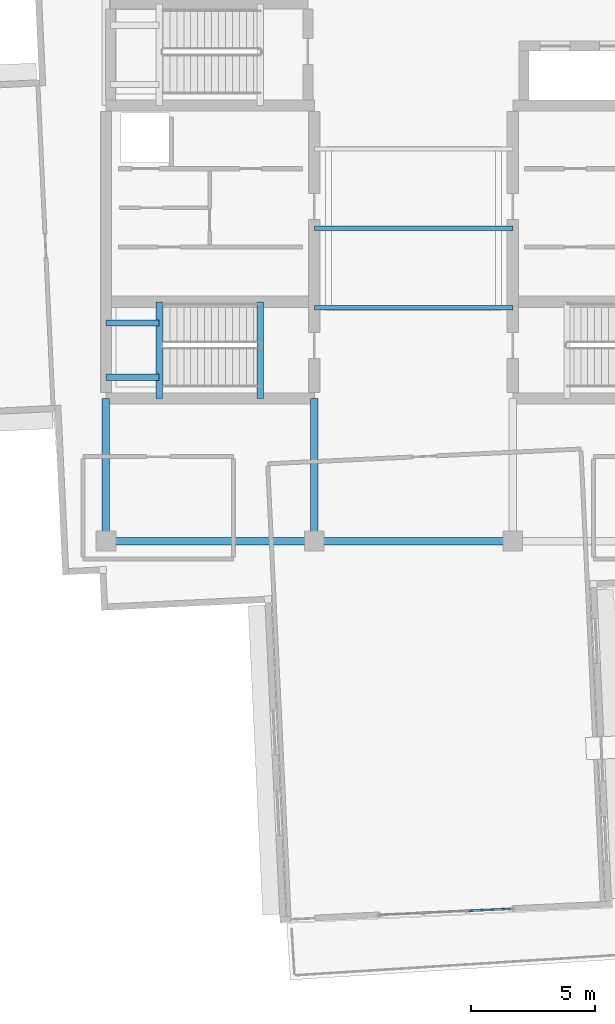
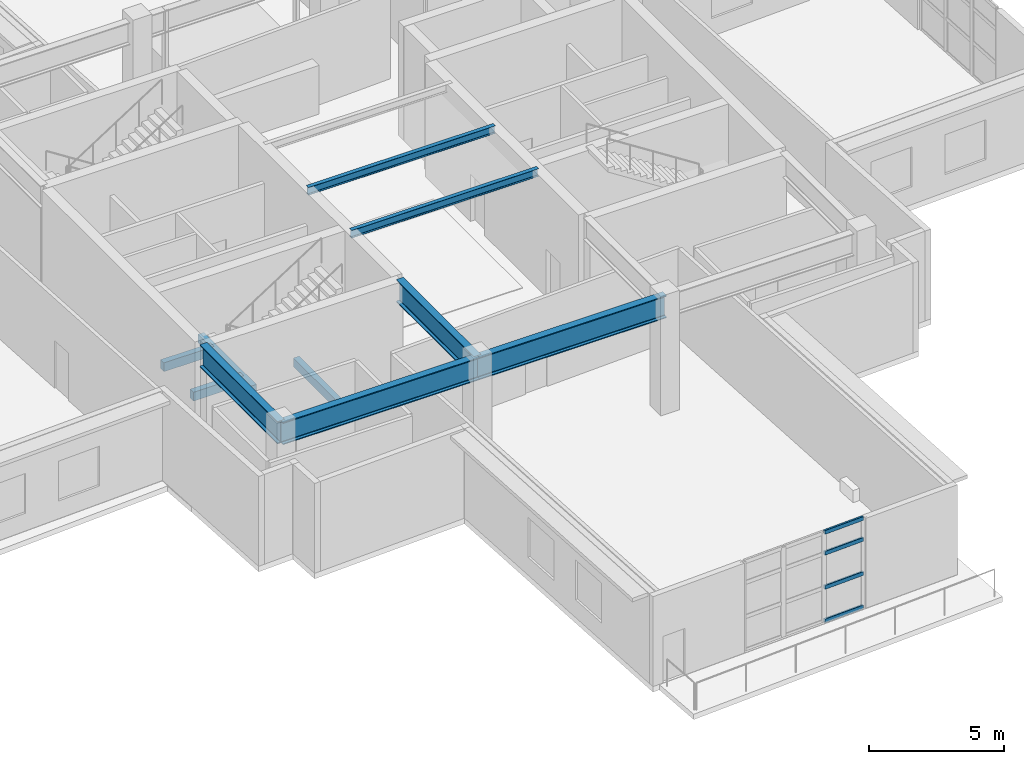
# One storey, part 4 of 22: 10 beams, 4 members, 1 element without a shape of its own.
"""IFC4 building model written with IfcOpenShell, lengths in metres."""

from ifc_helpers import new_model, si_unit, direction, frame, origin, origin_2d, place, context, subcontext, project, spatial, rectangle, hollow_rectangle, i_section, extrude, material, layer, layer_set, material_profile, profile_set, type_object, element, aggregate, save


model = new_model("IFC4")

# Units and contexts
model_context = context("Model", 3, precision=1e-05, world=origin(), true_north=direction((0.0, 1.0)))
body_context = subcontext(model_context, "Body", "Model", "MODEL_VIEW")
ifc_project = project(units=[si_unit("LENGTHUNIT", "METRE"), si_unit("AREAUNIT", "SQUARE_METRE"), si_unit("VOLUMEUNIT", "CUBIC_METRE"), si_unit("PLANEANGLEUNIT", "RADIAN"), si_unit("MASSUNIT", "GRAM", prefix="KILO")], contexts=[model_context])

# Site, building, storey
site_placement = place(None, origin())
site = spatial("IfcSite", under=ifc_project, at=site_placement, CompositionType="ELEMENT")
building_placement = place(site_placement, origin())
building = spatial("IfcBuilding", under=site, at=building_placement, Name="Qingluan Cross Belvedere", CompositionType="ELEMENT")
storey_placement = place(building_placement, frame((0.0, 0.0, 294.0)))
storey = spatial("IfcBuildingStorey", under=building, at=storey_placement, Name="L73", CompositionType="ELEMENT", Elevation=294.0)

# Curtain wall, members
ifc_material_1 = material(Name="Thermally broken aluminium and Low-E glass", Category="aluminium")
ifc_layer = layer(ifc_material_1, 0.179931640625, Name="ObservationCW_DamperGallery")
ifc_layer_set = layer_set([ifc_layer], Name="Thermally broken aluminium and Low-E glass")
curtain_wall_type = type_object("IfcCurtainWallType", Name="ObservationCW_DamperGallery", PredefinedType="USERDEFINED", material=ifc_layer_set)
curtain_wall_placement = place(storey_placement, origin())
curtain_wall = element("IfcCurtainWall", 1, at=curtain_wall_placement, inside=storey, type_object=curtain_wall_type, Name="ObservationCW_DamperGallery run env:cw:L73:S", ObjectType="OBSERVATION GLAZING WALL", PredefinedType="USERDEFINED")
ifc_material_2 = material(Name="Aluminium alloy 6063-T6", Category="aluminium")
ifc_material_profile_1 = material_profile(ifc_material_2, hollow_rectangle(XDim=0.0849609375, YDim=0.179931640625, WallThickness=0.00390625, InnerFilletRadius=0.00390625, OuterFilletRadius=0.008056640625, at=origin_2d()), Name="CWT180x85x4")
ifc_profile_set_1 = profile_set([ifc_material_profile_1], Name="Aluminium alloy 6063-T6")
member_type = type_object("IfcMemberType", Name="CWTransom_180", PredefinedType="USERDEFINED", material=ifc_profile_set_1)
member_1_placement = place(storey_placement, frame((2.220947265625, -27.505859375, 0.030029296875), z_axis=(0.998890508183, 0.047093021363, 0.0), x_axis=(-0.047093021363, 0.998890508183, 0.0)))
member_1 = element("IfcMember", 2, at=member_1_placement, type_object=member_type, Name="CW-C1 transom 3.1", ObjectType="TRANSOM", PredefinedType="USERDEFINED", context=body_context, shape_type="SweptSolid", body=[
    extrude(hollow_rectangle(XDim=0.0849609375, YDim=0.179931640625, WallThickness=0.00390625, InnerFilletRadius=0.00390625, OuterFilletRadius=0.008056640625, at=origin_2d()), origin(), (0.0, 0.0, 1.0), 1.6953125),
])
member_2_placement = place(storey_placement, frame((2.220947265625, -27.505859375, 1.54296875), z_axis=(0.998890508183, 0.047093021363, 0.0), x_axis=(-0.047093021363, 0.998890508183, 0.0)))
member_2 = element("IfcMember", 3, at=member_2_placement, type_object=member_type, Name="CW-C1 transom 3.2", ObjectType="TRANSOM", PredefinedType="USERDEFINED", context=body_context, shape_type="SweptSolid", body=[
    extrude(hollow_rectangle(XDim=0.0849609375, YDim=0.179931640625, WallThickness=0.00390625, InnerFilletRadius=0.00390625, OuterFilletRadius=0.008056640625, at=origin_2d()), origin(), (0.0, 0.0, 1.0), 1.6953125),
])
member_3_placement = place(storey_placement, frame((2.220947265625, -27.505859375, 3.0859375), z_axis=(0.998890508183, 0.047093021363, 0.0), x_axis=(-0.047093021363, 0.998890508183, 0.0)))
member_3 = element("IfcMember", 4, at=member_3_placement, type_object=member_type, Name="CW-C1 transom 3.3", ObjectType="TRANSOM", PredefinedType="USERDEFINED", context=body_context, shape_type="SweptSolid", body=[
    extrude(hollow_rectangle(XDim=0.0849609375, YDim=0.179931640625, WallThickness=0.00390625, InnerFilletRadius=0.00390625, OuterFilletRadius=0.008056640625, at=origin_2d()), origin(), (0.0, 0.0, 1.0), 1.6953125),
])
member_4_placement = place(storey_placement, frame((2.220947265625, -27.505859375, 4.030029296875), z_axis=(0.998890508183, 0.047093021363, 0.0), x_axis=(-0.047093021363, 0.998890508183, 0.0)))
member_4 = element("IfcMember", 5, at=member_4_placement, type_object=member_type, Name="CW-C1 transom 3.4", ObjectType="TRANSOM", PredefinedType="USERDEFINED", context=body_context, shape_type="SweptSolid", body=[
    extrude(hollow_rectangle(XDim=0.0849609375, YDim=0.179931640625, WallThickness=0.00390625, InnerFilletRadius=0.00390625, OuterFilletRadius=0.008056640625, at=origin_2d()), origin(), (0.0, 0.0, 1.0), 1.6953125),
])
aggregate(curtain_wall, [member_1, member_2, member_3, member_4])

# Beams
ifc_material_3 = material(Name="Concrete C45", Category="concrete")
ifc_material_profile_2 = material_profile(ifc_material_3, rectangle(XDim=0.25, YDim=0.39990234375, at=origin_2d()), Name="RC250x400")
ifc_profile_set_2 = profile_set([ifc_material_profile_2], Name="Concrete C45")
beam_type_1 = type_object("IfcBeamType", Name="RC_Lintel_RC250x400", PredefinedType="LINTEL", material=ifc_profile_set_2)
for number, where, z_axis, x_axis, name in (
    (6, (-6.179931640625, -6.85009765625, -0.199951171875), (0.0, 1.0, 0.0), (-1.0, 0.0, 0.0), "Stair ST1 landing beam L73"),
    (7, (-10.25, -6.85009765625, 2.300048828125), (0.0, 1.0, 0.0), (-1.0, 0.0, 0.0), "Stair ST1 beam A L73"),
):
    element("IfcBeam", number, at=place(storey_placement, frame(where, z_axis=z_axis, x_axis=x_axis)), inside=storey, type_object=beam_type_1, Name=name, PredefinedType="LINTEL", context=body_context, shape_type="SweptSolid", body=[
        extrude(rectangle(XDim=0.25, YDim=0.39990234375, at=origin_2d()), origin(), (0.0, 0.0, 1.0), 3.89013671875),
    ])
for number, where, z_axis, x_axis, name in (
    (8, (-12.39990234375, -6.0, 2.300048828125), (1.0, 0.0, 0.0), (0.0, 1.0, 0.0), "Stair ST1 beam B L73"),
    (9, (-12.39990234375, -3.81005859375, 2.300048828125), (1.0, 0.0, 0.0), (0.0, 1.0, 0.0), "Stair ST1 beam C L73"),
):
    element("IfcBeam", number, at=place(storey_placement, frame(where, z_axis=z_axis, x_axis=x_axis)), inside=storey, type_object=beam_type_1, Name=name, PredefinedType="LINTEL", context=body_context, shape_type="SweptSolid", body=[
        extrude(rectangle(XDim=0.25, YDim=0.39990234375, at=origin_2d()), origin(), (0.0, 0.0, 1.0), 2.14990234375),
    ])
ifc_material_4 = material(Name="Steel Q420GJB", Category="steel")
ifc_material_profile_3 = material_profile(ifc_material_4, i_section(OverallWidth=0.175048828125, OverallDepth=0.35009765625, WebThickness=0.007080078125, FlangeThickness=0.010986328125, FilletRadius=0.012939453125, at=origin_2d()), Name="HN350x175x7x11")
ifc_profile_set_3 = profile_set([ifc_material_profile_3], Name="Steel Q420GJB")
beam_type_2 = type_object("IfcBeamType", Name="Steel_Beam_HN350x175x7x11", PredefinedType="JOIST", material=ifc_profile_set_3)
for number, where, z_axis, x_axis, name in (
    (10, (-4.0, -3.199951171875, 4.97509765625), (1.0, 0.0, 0.0), (0.0, 1.0, 0.0), "Hall beam L73-CH1"),
    (11, (-4.0, 0.0, 4.97509765625), (1.0, 0.0, 0.0), (0.0, 1.0, 0.0), "Hall beam L73-CH2"),
):
    element("IfcBeam", number, at=place(storey_placement, frame(where, z_axis=z_axis, x_axis=x_axis)), inside=storey, type_object=beam_type_2, Name=name, PredefinedType="JOIST", context=body_context, shape_type="SweptSolid", body=[
        extrude(i_section(OverallWidth=0.175048828125, OverallDepth=0.35009765625, WebThickness=0.007080078125, FlangeThickness=0.010986328125, FilletRadius=0.012939453125, at=origin_2d()), origin(), (0.0, 0.0, 1.0), 8.0),
    ])
ifc_material_5 = material(Name="Steel Q420GJB", Category="steel")
ifc_material_profile_4 = material_profile(ifc_material_5, i_section(OverallWidth=0.302001953125, OverallDepth=1.008056640625, WebThickness=0.02099609375, FlangeThickness=0.0400390625, FilletRadius=0.030029296875, at=origin_2d()), Name="HEM1000")
ifc_profile_set_4 = profile_set([ifc_material_profile_4], Name="Steel Q420GJB")
beam_type_3 = type_object("IfcBeamType", Name="Steel_Girder_HEM1000", PredefinedType="USERDEFINED", material=ifc_profile_set_4)
beam_1_placement = place(storey_placement, frame((-12.39990234375, -12.60009765625, 4.64599609375), z_axis=(1.0, 0.0, 0.0), x_axis=(0.0, 1.0, 0.0)))
element("IfcBeam", 12, at=beam_1_placement, inside=storey, type_object=beam_type_3, Name="Hub girder L73-HG-S1", ObjectType="GIRDER", PredefinedType="USERDEFINED", context=body_context, shape_type="SweptSolid", body=[
    extrude(i_section(OverallWidth=0.302001953125, OverallDepth=1.008056640625, WebThickness=0.02099609375, FlangeThickness=0.0400390625, FilletRadius=0.030029296875, at=origin_2d()), origin(), (0.0, 0.0, 1.0), 8.39990234375),
])
beam_2_placement = place(storey_placement, frame((-4.0, -12.60009765625, 4.64599609375), z_axis=(1.0, 0.0, 0.0), x_axis=(0.0, 1.0, 0.0)))
element("IfcBeam", 13, at=beam_2_placement, inside=storey, type_object=beam_type_3, Name="Hub girder L73-HG-S2", ObjectType="GIRDER", PredefinedType="USERDEFINED", context=body_context, shape_type="SweptSolid", body=[
    extrude(i_section(OverallWidth=0.302001953125, OverallDepth=1.008056640625, WebThickness=0.02099609375, FlangeThickness=0.0400390625, FilletRadius=0.030029296875, at=origin_2d()), origin(), (0.0, 0.0, 1.0), 8.0),
])
for number, where, z_axis, x_axis, name in (
    (14, (-12.39990234375, -12.60009765625, 4.64599609375), (0.0, 1.0, 0.0), (-1.0, 0.0, 0.0), "Hub girder L73-HG-W1"),
    (15, (-4.0, -12.60009765625, 4.64599609375), (0.0, 1.0, 0.0), (-1.0, 0.0, 0.0), "Hub girder L73-HG-CW"),
):
    element("IfcBeam", number, at=place(storey_placement, frame(where, z_axis=z_axis, x_axis=x_axis)), inside=storey, type_object=beam_type_3, Name=name, ObjectType="GIRDER", PredefinedType="USERDEFINED", context=body_context, shape_type="SweptSolid", body=[
        extrude(i_section(OverallWidth=0.302001953125, OverallDepth=1.008056640625, WebThickness=0.02099609375, FlangeThickness=0.0400390625, FilletRadius=0.030029296875, at=origin_2d()), origin(), (0.0, 0.0, 1.0), 5.75),
    ])

save(model, "model.ifc")
